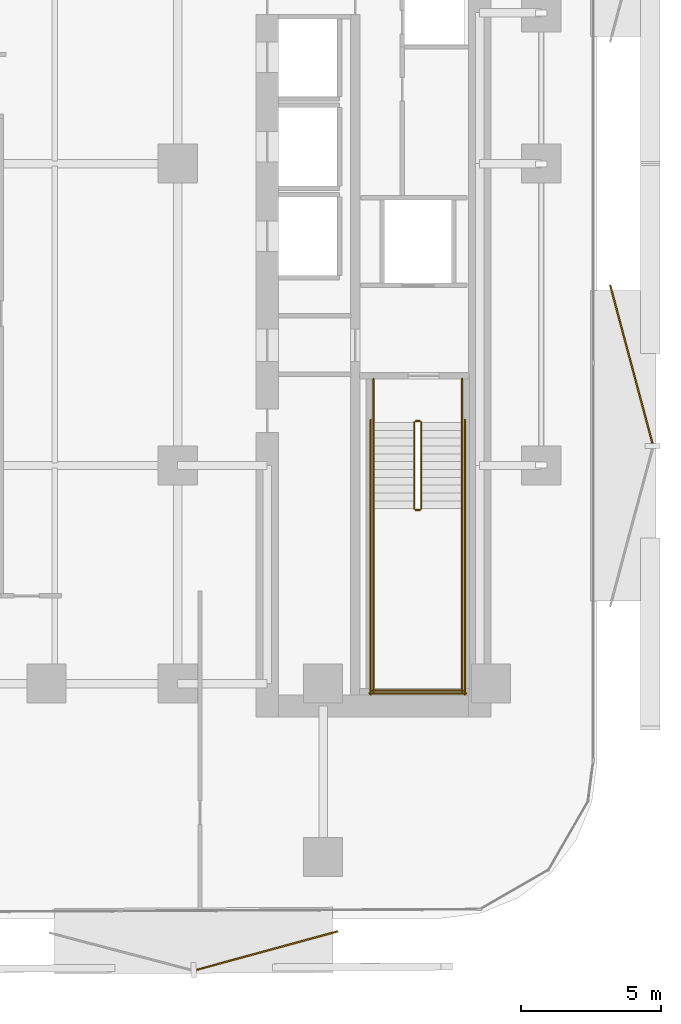
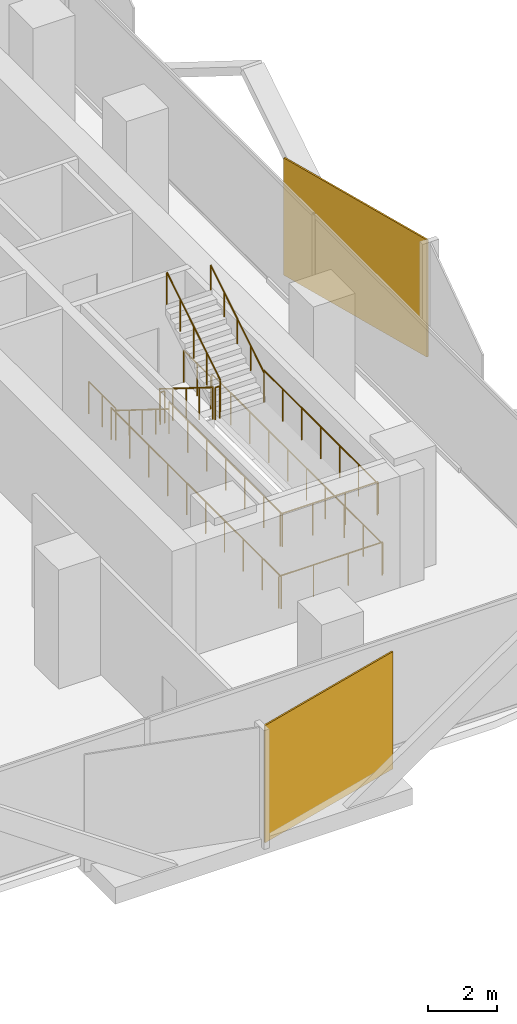
# One storey, part 13 of 15: 14 railings, 2 coverings.
"""IFC4 building model written with IfcOpenShell, lengths in metres."""

from ifc_helpers import new_model, si_unit, direction, frame, origin, origin_2d, place, context, subcontext, project, spatial, rectangle, circle, extrude, material, layer, layer_set, type_object, element, save


model = new_model("IFC4")

# Units and contexts
model_context = context("Model", 3, precision=1e-05, world=origin(), true_north=direction((0.0, 1.0)))
body_context = subcontext(model_context, "Body", "Model", "MODEL_VIEW")
ifc_project = project(units=[si_unit("LENGTHUNIT", "METRE"), si_unit("AREAUNIT", "SQUARE_METRE"), si_unit("VOLUMEUNIT", "CUBIC_METRE"), si_unit("PLANEANGLEUNIT", "RADIAN"), si_unit("MASSUNIT", "GRAM", prefix="KILO")], contexts=[model_context])

# Site, building, storey
site_placement = place(None, origin())
site = spatial("IfcSite", under=ifc_project, at=site_placement, CompositionType="ELEMENT")
building_placement = place(site_placement, origin())
building = spatial("IfcBuilding", under=site, at=building_placement, Name="Khairoan Windgate Tower", CompositionType="ELEMENT")
storey_placement = place(building_placement, frame((0.0, 0.0, 47.0)))
storey = spatial("IfcBuildingStorey", under=building, at=storey_placement, Name="L11", CompositionType="ELEMENT", Elevation=47.0)

# Coverings
ifc_material_1 = material(Name="Anodised Bronze Aluminium 6063-T6", Category="aluminium")
ifc_layer = layer(ifc_material_1, 0.054931640625, Name="Anodised Bronze Aluminium 6063-T6")
ifc_layer_set = layer_set([ifc_layer], Name="Anodised Bronze Aluminium 6063-T6")
covering_type = type_object("IfcCoveringType", Name="Perforated Bronze-Ceramic Folded Solar Screen Cladding BSC-1", PredefinedType="CLADDING", material=ifc_layer_set)
covering_1_placement = place(storey_placement, frame((12.39453125, -28.150390625, -0.10009765625), z_axis=(0.0, 0.0, 1.0), x_axis=(-0.964649468762, -0.263536339841, 0.0)))
element("IfcCovering", 1, at=covering_1_placement, inside=storey, type_object=covering_type, Name="L11 Folded Bronze Solar Screen Facet 41L", PredefinedType="CLADDING", context=body_context, shape_type="SweptSolid", body=[
    extrude(rectangle(XDim=5.25, YDim=0.054931640625, at=origin_2d()), origin(), (0.0, 0.0, 1.0), 4.139892578125),
])
covering_2_placement = place(storey_placement, frame((25.42236328125, -7.177734375, -0.10009765625), z_axis=(0.0, 0.0, 1.0), x_axis=(0.258819045103, -0.965925826289, 0.0)))
element("IfcCovering", 2, at=covering_2_placement, inside=storey, type_object=covering_type, Name="L11 Folded Bronze Solar Screen Facet 48L", PredefinedType="CLADDING", context=body_context, shape_type="SweptSolid", body=[
    extrude(rectangle(XDim=5.85498046875, YDim=0.054931640625, at=origin_2d()), origin(), (0.0, 0.0, 1.0), 4.139892578125),
])

# Railings
ifc_material_2 = material(Name="Anodised Bronze Aluminium 6063-T6", Category="aluminium")
railing_type_1 = type_object("IfcRailingType", Name="Stair Wall Handrail SHR-900", PredefinedType="HANDRAIL", material=ifc_material_2)
railing_1_placement = place(storey_placement, frame((16.199951171875, -9.260009765625, 0.175048828125)))
element("IfcRailing", 3, at=railing_1_placement, inside=storey, type_object=railing_type_1, Name="L11 ST1 stair handrail 1", PredefinedType="HANDRAIL", context=body_context, shape_type="SweptSolid", body=[
    extrude(circle(Radius=0.02392578125, at=origin_2d()), frame((0.0, 0.0, 0.8759765625), z_axis=(0.0, -0.847998304005, 0.529998940003), x_axis=(1.0, 0.0, 0.0)), (0.0, 0.0, 1.0), 3.632080078125),
    extrude(circle(Radius=0.02099609375, at=origin_2d()), origin(), (0.0, 0.0, 1.0), 0.851806640625),
    extrude(circle(Radius=0.02099609375, at=origin_2d()), frame((0.0, -0.77001953125, 0.481201171875)), (0.0, 0.0, 1.0), 0.851806640625),
    extrude(circle(Radius=0.02099609375, at=origin_2d()), frame((0.0, -1.5400390625, 0.96240234375)), (0.0, 0.0, 1.0), 0.851806640625),
    extrude(circle(Radius=0.02099609375, at=origin_2d()), frame((0.0, -2.31005859375, 1.44384765625)), (0.0, 0.0, 1.0), 0.851806640625),
    extrude(circle(Radius=0.02099609375, at=origin_2d()), frame((0.0, -3.080078125, 1.925048828125)), (0.0, 0.0, 1.0), 0.851806640625),
])
railing_2_placement = place(storey_placement, frame((19.3701171875, -12.340087890625, 2.27490234375)))
element("IfcRailing", 4, at=railing_2_placement, inside=storey, type_object=railing_type_1, Name="L11 ST1 stair handrail 2", PredefinedType="HANDRAIL", context=body_context, shape_type="SweptSolid", body=[
    extrude(circle(Radius=0.02392578125, at=origin_2d()), frame((0.0, 0.0, 0.8759765625), z_axis=(0.0, 0.847998304005, 0.529998940003), x_axis=(-1.0, 0.0, 0.0)), (0.0, 0.0, 1.0), 3.632080078125),
    extrude(circle(Radius=0.02099609375, at=origin_2d()), origin(), (0.0, 0.0, 1.0), 0.851806640625),
    extrude(circle(Radius=0.02099609375, at=origin_2d()), frame((0.0, 0.77001953125, 0.481201171875)), (0.0, 0.0, 1.0), 0.851806640625),
    extrude(circle(Radius=0.02099609375, at=origin_2d()), frame((0.0, 1.5400390625, 0.96240234375)), (0.0, 0.0, 1.0), 0.851806640625),
    extrude(circle(Radius=0.02099609375, at=origin_2d()), frame((0.0, 2.31005859375, 1.44384765625)), (0.0, 0.0, 1.0), 0.851806640625),
    extrude(circle(Radius=0.02099609375, at=origin_2d()), frame((0.0, 3.080078125, 1.925048828125)), (0.0, 0.0, 1.0), 0.851806640625),
])
ifc_material_3 = material(Name="Steel S355", Category="steel")
railing_type_2 = type_object("IfcRailingType", Name="Stairwell Safety Guardrail SGR-1150", PredefinedType="GUARDRAIL", material=ifc_material_3)
railing_3_placement = place(storey_placement, frame((17.659912109375, -9.260009765625, 0.175048828125)))
element("IfcRailing", 5, at=railing_3_placement, inside=storey, type_object=railing_type_2, Name="L11 ST1 stair guard 1", PredefinedType="GUARDRAIL", context=body_context, shape_type="SweptSolid", body=[
    extrude(circle(Radius=0.02392578125, at=origin_2d()), frame((0.0, 0.0, 1.1259765625), z_axis=(0.0, -0.847998304005, 0.529998940003), x_axis=(1.0, 0.0, 0.0)), (0.0, 0.0, 1.0), 3.632080078125),
    extrude(circle(Radius=0.02099609375, at=origin_2d()), origin(), (0.0, 0.0, 1.0), 1.101806640625),
    extrude(circle(Radius=0.02099609375, at=origin_2d()), frame((0.0, -0.77001953125, 0.481201171875)), (0.0, 0.0, 1.0), 1.101806640625),
    extrude(circle(Radius=0.02099609375, at=origin_2d()), frame((0.0, -1.5400390625, 0.96240234375)), (0.0, 0.0, 1.0), 1.101806640625),
    extrude(circle(Radius=0.02099609375, at=origin_2d()), frame((0.0, -2.31005859375, 1.44384765625)), (0.0, 0.0, 1.0), 1.101806640625),
    extrude(circle(Radius=0.02099609375, at=origin_2d()), frame((0.0, -3.080078125, 1.925048828125)), (0.0, 0.0, 1.0), 1.101806640625),
])
railing_4_placement = place(storey_placement, frame((17.7099609375, -12.389892578125, 2.10009765625)))
element("IfcRailing", 6, at=railing_4_placement, inside=storey, type_object=railing_type_2, Name="L11 ST1 stair guard 2", PredefinedType="GUARDRAIL", context=body_context, shape_type="SweptSolid", body=[
    extrude(circle(Radius=0.02392578125, at=origin_2d()), frame((0.0, 0.0, 1.1259765625), z_axis=(1.0, 0.0, 0.0), x_axis=(0.0, 1.0, 0.0)), (0.0, 0.0, 1.0), 0.150146484375),
    extrude(circle(Radius=0.02099609375, at=origin_2d()), origin(), (0.0, 0.0, 1.0), 1.101806640625),
    extrude(circle(Radius=0.02099609375, at=origin_2d()), frame((0.150146484375, 0.0, 0.0)), (0.0, 0.0, 1.0), 1.101806640625),
])
for number, where, name in (
    (7, (16.199951171875, -12.340087890625, 2.10009765625), "L11 ST1 stair guard 3"),
    (8, (19.3701171875, -12.340087890625, 2.10009765625), "L11 ST1 stair guard 4"),
):
    element("IfcRailing", number, at=place(storey_placement, frame(where)), inside=storey, type_object=railing_type_2, Name=name, PredefinedType="GUARDRAIL", context=body_context, shape_type="SweptSolid", body=[
        extrude(circle(Radius=0.02392578125, at=origin_2d()), frame((0.0, 0.0, 1.1259765625), z_axis=(0.0, -1.0, 0.0), x_axis=(1.0, 0.0, 0.0)), (0.0, 0.0, 1.0), 6.559814453125),
        extrude(circle(Radius=0.02099609375, at=origin_2d()), origin(), (0.0, 0.0, 1.0), 1.101806640625),
        extrude(circle(Radius=0.02099609375, at=origin_2d()), frame((0.0, -1.09326171875, 0.0)), (0.0, 0.0, 1.0), 1.101806640625),
        extrude(circle(Radius=0.02099609375, at=origin_2d()), frame((0.0, -2.1865234375, 0.0)), (0.0, 0.0, 1.0), 1.101806640625),
        extrude(circle(Radius=0.02099609375, at=origin_2d()), frame((0.0, -3.27978515625, 0.0)), (0.0, 0.0, 1.0), 1.101806640625),
        extrude(circle(Radius=0.02099609375, at=origin_2d()), frame((0.0, -4.373291015625, 0.0)), (0.0, 0.0, 1.0), 1.101806640625),
        extrude(circle(Radius=0.02099609375, at=origin_2d()), frame((0.0, -5.466552734375, 0.0)), (0.0, 0.0, 1.0), 1.101806640625),
        extrude(circle(Radius=0.02099609375, at=origin_2d()), frame((0.0, -6.559814453125, 0.0)), (0.0, 0.0, 1.0), 1.101806640625),
    ])
railing_5_placement = place(storey_placement, frame((16.14990234375, -18.85009765625, 2.10009765625)))
element("IfcRailing", 9, at=railing_5_placement, inside=storey, type_object=railing_type_2, Name="L11 ST1 stair guard 5", PredefinedType="GUARDRAIL", context=body_context, shape_type="SweptSolid", body=[
    extrude(circle(Radius=0.02392578125, at=origin_2d()), frame((0.0, 0.0, 1.1259765625), z_axis=(1.0, 0.0, 0.0), x_axis=(0.0, 1.0, 0.0)), (0.0, 0.0, 1.0), 3.27001953125),
    extrude(circle(Radius=0.02099609375, at=origin_2d()), origin(), (0.0, 0.0, 1.0), 1.101806640625),
    extrude(circle(Radius=0.02099609375, at=origin_2d()), frame((1.090087890625, 0.0, 0.0)), (0.0, 0.0, 1.0), 1.101806640625),
    extrude(circle(Radius=0.02099609375, at=origin_2d()), frame((2.179931640625, 0.0, 0.0)), (0.0, 0.0, 1.0), 1.101806640625),
    extrude(circle(Radius=0.02099609375, at=origin_2d()), frame((3.27001953125, 0.0, 0.0)), (0.0, 0.0, 1.0), 1.101806640625),
])
railing_6_placement = place(storey_placement, frame((17.909912109375, -12.340087890625, 2.27490234375)))
element("IfcRailing", 10, at=railing_6_placement, inside=storey, type_object=railing_type_2, Name="L11 ST1 stair guard 6", PredefinedType="GUARDRAIL", context=body_context, shape_type="SweptSolid", body=[
    extrude(circle(Radius=0.02392578125, at=origin_2d()), frame((0.0, 0.0, 1.1259765625), z_axis=(0.0, 0.847998304005, 0.529998940003), x_axis=(-1.0, 0.0, 0.0)), (0.0, 0.0, 1.0), 3.632080078125),
    extrude(circle(Radius=0.02099609375, at=origin_2d()), origin(), (0.0, 0.0, 1.0), 1.101806640625),
    extrude(circle(Radius=0.02099609375, at=origin_2d()), frame((0.0, 0.77001953125, 0.481201171875)), (0.0, 0.0, 1.0), 1.101806640625),
    extrude(circle(Radius=0.02099609375, at=origin_2d()), frame((0.0, 1.5400390625, 0.96240234375)), (0.0, 0.0, 1.0), 1.101806640625),
    extrude(circle(Radius=0.02099609375, at=origin_2d()), frame((0.0, 2.31005859375, 1.44384765625)), (0.0, 0.0, 1.0), 1.101806640625),
    extrude(circle(Radius=0.02099609375, at=origin_2d()), frame((0.0, 3.080078125, 1.925048828125)), (0.0, 0.0, 1.0), 1.101806640625),
])
railing_7_placement = place(storey_placement, frame((17.7099609375, -9.2099609375, 0.0)))
element("IfcRailing", 11, at=railing_7_placement, inside=storey, type_object=railing_type_2, Name="L11 ST1 stair guard 7", PredefinedType="GUARDRAIL", context=body_context, shape_type="SweptSolid", body=[
    extrude(circle(Radius=0.02392578125, at=origin_2d()), frame((0.0, 0.0, 1.1259765625), z_axis=(1.0, 0.0, 0.0), x_axis=(0.0, 1.0, 0.0)), (0.0, 0.0, 1.0), 0.150146484375),
    extrude(circle(Radius=0.02099609375, at=origin_2d()), origin(), (0.0, 0.0, 1.0), 1.101806640625),
    extrude(circle(Radius=0.02099609375, at=origin_2d()), frame((0.150146484375, 0.0, 0.0)), (0.0, 0.0, 1.0), 1.101806640625),
])
for number, where, name in (
    (12, (16.199951171875, -7.699951171875, 0.0), "L11 ST1 stair guard 8"),
    (13, (19.3701171875, -7.699951171875, 0.0), "L11 ST1 stair guard 9"),
):
    element("IfcRailing", number, at=place(storey_placement, frame(where)), inside=storey, type_object=railing_type_2, Name=name, PredefinedType="GUARDRAIL", context=body_context, shape_type="SweptSolid", body=[
        extrude(circle(Radius=0.02392578125, at=origin_2d()), frame((0.0, 0.0, 1.1259765625), z_axis=(0.0, -1.0, 0.0), x_axis=(1.0, 0.0, 0.0)), (0.0, 0.0, 1.0), 1.56005859375),
        extrude(circle(Radius=0.02099609375, at=origin_2d()), origin(), (0.0, 0.0, 1.0), 1.101806640625),
        extrude(circle(Radius=0.02099609375, at=origin_2d()), frame((0.0, -0.780029296875, 0.0)), (0.0, 0.0, 1.0), 1.101806640625),
        extrude(circle(Radius=0.02099609375, at=origin_2d()), frame((0.0, -1.56005859375, 0.0)), (0.0, 0.0, 1.0), 1.101806640625),
    ])
for number, where, name in (
    (14, (16.10009765625, -9.159912109375, 0.0), "L11 ST1 stair guard 10"),
    (15, (19.469970703125, -9.159912109375, 0.0), "L11 ST1 stair guard 11"),
):
    element("IfcRailing", number, at=place(storey_placement, frame(where)), inside=storey, type_object=railing_type_2, Name=name, PredefinedType="GUARDRAIL", context=body_context, shape_type="SweptSolid", body=[
        extrude(circle(Radius=0.02392578125, at=origin_2d()), frame((0.0, 0.0, 1.1259765625), z_axis=(0.0, -1.0, 0.0), x_axis=(1.0, 0.0, 0.0)), (0.0, 0.0, 1.0), 9.840087890625),
        extrude(circle(Radius=0.02099609375, at=origin_2d()), origin(), (0.0, 0.0, 1.0), 1.101806640625),
        extrude(circle(Radius=0.02099609375, at=origin_2d()), frame((0.0, -1.09326171875, 0.0)), (0.0, 0.0, 1.0), 1.101806640625),
        extrude(circle(Radius=0.02099609375, at=origin_2d()), frame((0.0, -2.186767578125, 0.0)), (0.0, 0.0, 1.0), 1.101806640625),
        extrude(circle(Radius=0.02099609375, at=origin_2d()), frame((0.0, -3.280029296875, 0.0)), (0.0, 0.0, 1.0), 1.101806640625),
        extrude(circle(Radius=0.02099609375, at=origin_2d()), frame((0.0, -4.373291015625, 0.0)), (0.0, 0.0, 1.0), 1.101806640625),
        extrude(circle(Radius=0.02099609375, at=origin_2d()), frame((0.0, -5.466796875, 0.0)), (0.0, 0.0, 1.0), 1.101806640625),
        extrude(circle(Radius=0.02099609375, at=origin_2d()), frame((0.0, -6.56005859375, 0.0)), (0.0, 0.0, 1.0), 1.101806640625),
        extrude(circle(Radius=0.02099609375, at=origin_2d()), frame((0.0, -7.6533203125, 0.0)), (0.0, 0.0, 1.0), 1.101806640625),
        extrude(circle(Radius=0.02099609375, at=origin_2d()), frame((0.0, -8.746826171875, 0.0)), (0.0, 0.0, 1.0), 1.101806640625),
        extrude(circle(Radius=0.02099609375, at=origin_2d()), frame((0.0, -9.840087890625, 0.0)), (0.0, 0.0, 1.0), 1.101806640625),
    ])
railing_8_placement = place(storey_placement, frame((16.050048828125, -18.949951171875, 0.0)))
element("IfcRailing", 16, at=railing_8_placement, inside=storey, type_object=railing_type_2, Name="L11 ST1 stair guard 12", PredefinedType="GUARDRAIL", context=body_context, shape_type="SweptSolid", body=[
    extrude(circle(Radius=0.02392578125, at=origin_2d()), frame((0.0, 0.0, 1.1259765625), z_axis=(1.0, 0.0, 0.0), x_axis=(0.0, 1.0, 0.0)), (0.0, 0.0, 1.0), 3.469970703125),
    extrude(circle(Radius=0.02099609375, at=origin_2d()), origin(), (0.0, 0.0, 1.0), 1.101806640625),
    extrude(circle(Radius=0.02099609375, at=origin_2d()), frame((1.15673828125, 0.0, 0.0)), (0.0, 0.0, 1.0), 1.101806640625),
    extrude(circle(Radius=0.02099609375, at=origin_2d()), frame((2.313232421875, 0.0, 0.0)), (0.0, 0.0, 1.0), 1.101806640625),
    extrude(circle(Radius=0.02099609375, at=origin_2d()), frame((3.469970703125, 0.0, 0.0)), (0.0, 0.0, 1.0), 1.101806640625),
])

save(model, "model.ifc")
